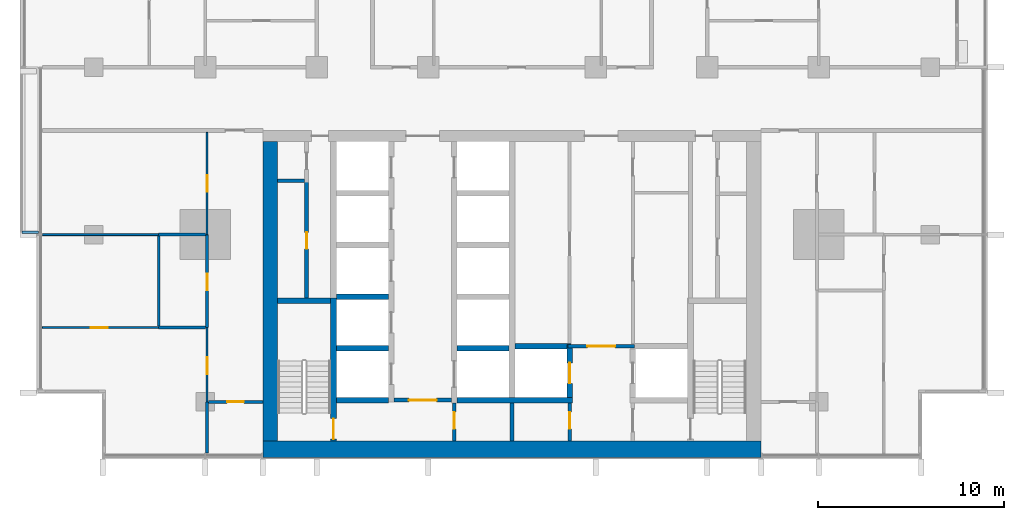
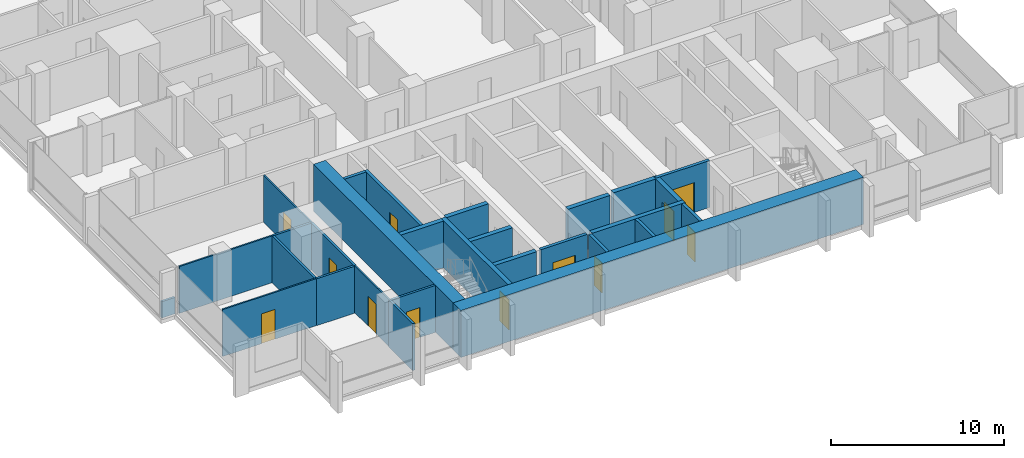
# One storey, part 7 of 18: 29 walls, 12 doors, 12 openings.
"""IFC4 building model written with IfcOpenShell, lengths in metres."""

from ifc_helpers import new_model, si_unit, direction, frame, frame_2d, origin, place, context, subcontext, project, spatial, rectangle, extrude, material, layer, layer_set, type_object, element, fill, save


model = new_model("IFC4")

# Units and contexts
model_context = context("Model", 3, precision=1e-05, world=origin(), true_north=direction((0.0, 1.0)))
body_context = subcontext(model_context, "Body", "Model", "MODEL_VIEW")
ifc_project = project(units=[si_unit("LENGTHUNIT", "METRE"), si_unit("AREAUNIT", "SQUARE_METRE"), si_unit("VOLUMEUNIT", "CUBIC_METRE"), si_unit("PLANEANGLEUNIT", "RADIAN"), si_unit("MASSUNIT", "GRAM", prefix="KILO")], contexts=[model_context])

# Site, building, storey
site_placement = place(None, origin())
site = spatial("IfcSite", under=ifc_project, at=site_placement, CompositionType="ELEMENT")
building_placement = place(site_placement, origin())
building = spatial("IfcBuilding", under=site, at=building_placement, Name="Finial Court Residences", CompositionType="ELEMENT")
storey_placement = place(building_placement, frame((0.0, 0.0, 84.699951171875)))
storey = spatial("IfcBuildingStorey", under=building, at=storey_placement, Name="L20", CompositionType="ELEMENT", Elevation=84.699951171875)

# Walls
ifc_material_1 = material(Name="Concrete C70/85", Category="concrete")
ifc_layer_1 = layer(ifc_material_1, 0.800048828125)
ifc_layer_set_1 = layer_set([ifc_layer_1], Name="Core outer wall 800 Concrete C70/85")
wall_type_1 = type_object("IfcWallType", Name="Core outer wall 800 Concrete C70/85", PredefinedType="SHEAR", material=ifc_layer_set_1)
wall_1_placement = place(storey_placement, frame((-13.0, -24.60009765625, 0.0), z_axis=(0.0, 0.0, 1.0), x_axis=(0.0, 1.0, 0.0)))
element("IfcWall", 1, at=wall_1_placement, inside=storey, type_object=wall_type_1, Name="Core outer wall L20-03", PredefinedType="SHEAR", context=body_context, shape_type="SweptSolid", body=[
    extrude(rectangle(XDim=16.10009765625, YDim=0.800048828125, at=frame_2d((8.050048828125, 0.0))), origin(), (0.0, 0.0, 1.0), 3.300048828125),
])
ifc_layer_2 = layer(ifc_material_1, 0.89990234375)
ifc_layer_set_2 = layer_set([ifc_layer_2], Name="Core south facade wall 900 Concrete C70/85")
wall_type_2 = type_object("IfcWallType", Name="Core south facade wall 900 Concrete C70/85", PredefinedType="SHEAR", material=ifc_layer_set_2)
wall_2_placement = place(storey_placement, frame((-13.39990234375, -25.050048828125, 0.0), z_axis=(0.0, 0.0, 1.0), x_axis=(1.0, 0.0, 0.0)))
element("IfcWall", 2, at=wall_2_placement, inside=storey, type_object=wall_type_2, Name="Core outer wall L20-01", PredefinedType="SHEAR", context=body_context, shape_type="SweptSolid", body=[
    extrude(rectangle(XDim=26.7998046875, YDim=0.89990234375, at=frame_2d((13.39990234375, 0.0))), origin(), (0.0, 0.0, 1.0), 3.300048828125),
])

# Wall, opening, door
ifc_material_2 = material(Name="Fire-rated gypsum board partition")
ifc_layer_3 = layer(ifc_material_2, 0.199951171875)
ifc_layer_set_3 = layer_set([ifc_layer_3], Name="Firefighting lobby wall 200 EI 120")
wall_type_3 = type_object("IfcWallType", Name="Firefighting lobby wall 200 EI 120", PredefinedType="PARTITIONING", material=ifc_layer_set_3)
wall_3_placement = place(storey_placement, frame((6.574951171875, -19.5, 0.0), z_axis=(0.0, 0.0, 1.0), x_axis=(-1.0, 0.0, 0.0)))
wall_3 = element("IfcWall", 3, at=wall_3_placement, inside=storey, type_object=wall_type_3, Name="Core partition L20-08", PredefinedType="PARTITIONING", context=body_context, shape_type="SweptSolid", body=[
    extrude(rectangle(XDim=3.550048828125, YDim=0.199951171875, at=frame_2d((1.77490234375, 0.0))), origin(), (0.0, 0.0, 1.0), 3.300048828125),
])
opening_1_placement = place(wall_3_placement, frame((1.02490234375, 0.0, 0.0)))
opening_1 = element("IfcOpeningElement", 4, at=opening_1_placement, cuts=wall_3, Name="Opening L20-C02", PredefinedType="OPENING", context=body_context, shape_type="SweptSolid", body=[
    extrude(rectangle(XDim=1.5, YDim=2.10009765625, at=frame_2d((0.75, 1.050048828125))), frame((0.0, 0.10986328125, 0.0), z_axis=(0.0, -1.0, 0.0), x_axis=(1.0, 0.0, 0.0)), (0.0, 0.0, 1.0), 0.219970703125),
])
ifc_material_3 = material(Name="Steel fire door", Category="steel")
door_type_1 = type_object("IfcDoorType", Name="Firefighting lobby door 1500 x 2100 EI 90", OperationType="DOUBLE_DOOR_SINGLE_SWING", PredefinedType="DOOR", material=ifc_material_3)
door_1_placement = place(opening_1_placement, origin())
door_1 = element("IfcDoor", 5, at=door_1_placement, inside=storey, type_object=door_type_1, Name="Firefighting lobby door L20-C02", OperationType="DOUBLE_DOOR_SINGLE_SWING", OverallHeight=2.10009765625, OverallWidth=1.5, PredefinedType="DOOR", context=body_context, shape_type="SweptSolid", body=[
    extrude(rectangle(XDim=1.5, YDim=2.10009765625, at=frame_2d((0.75, 1.050048828125))), frame((0.0, 0.02490234375, 0.0), z_axis=(0.0, -1.0, 0.0), x_axis=(1.0, 0.0, 0.0)), (0.0, 0.0, 1.0), 0.050048828125),
])
fill(opening_1, door_1)

wall_4_placement = place(storey_placement, frame((3.10009765625, -24.60009765625, 0.0), z_axis=(0.0, 0.0, 1.0), x_axis=(0.0, 1.0, 0.0)))
wall_4 = element("IfcWall", 6, at=wall_4_placement, inside=storey, type_object=wall_type_3, Name="Core partition L20-30", PredefinedType="PARTITIONING", context=body_context, shape_type="SweptSolid", body=[
    extrude(rectangle(XDim=2.050048828125, YDim=0.199951171875, at=frame_2d((1.02490234375, 0.0))), origin(), (0.0, 0.0, 1.0), 3.300048828125),
])
opening_2_placement = place(wall_4_placement, frame((0.64990234375, 0.0, 0.0)))
opening_2 = element("IfcOpeningElement", 7, at=opening_2_placement, cuts=wall_4, Name="Opening L20-C06", PredefinedType="OPENING", context=body_context, shape_type="SweptSolid", body=[
    extrude(rectangle(XDim=0.89990234375, YDim=2.10009765625, at=frame_2d((0.449951171875, 1.050048828125))), frame((0.0, 0.10986328125, 0.0), z_axis=(0.0, -1.0, 0.0), x_axis=(1.0, 0.0, 0.0)), (0.0, 0.0, 1.0), 0.219970703125),
])
door_type_2 = type_object("IfcDoorType", Name="Riser room door 900 x 2100 EI 90", OperationType="NOTDEFINED", PredefinedType="DOOR", material=ifc_material_3)
door_2_placement = place(opening_2_placement, origin())
door_2 = element("IfcDoor", 8, at=door_2_placement, inside=storey, type_object=door_type_2, Name="Riser room door L20-C06", OperationType="SINGLE_SWING_LEFT", OverallHeight=2.10009765625, OverallWidth=0.89990234375, PredefinedType="DOOR", context=body_context, shape_type="SweptSolid", body=[
    extrude(rectangle(XDim=0.89990234375, YDim=2.10009765625, at=frame_2d((0.449951171875, 1.050048828125))), frame((0.0, 0.02490234375, 0.0), z_axis=(0.0, -1.0, 0.0), x_axis=(1.0, 0.0, 0.0)), (0.0, 0.0, 1.0), 0.050048828125),
])
fill(opening_2, door_2)

ifc_material_4 = material(Name="Gypsum board")
ifc_layer_4 = layer(ifc_material_4, 0.012451171875)
ifc_material_5 = material(Name="Mineral wool in light-gauge frame")
ifc_layer_5 = layer(ifc_material_5, 0.074951171875)
ifc_layer_6 = layer(ifc_material_4, 0.012451171875)
ifc_layer_set_4 = layer_set([ifc_layer_4, ifc_layer_5, ifc_layer_6], Name="Gypsum board partition 100")
wall_type_4 = type_object("IfcWallType", Name="Gypsum board partition 100", PredefinedType="PARTITIONING", material=ifc_layer_set_4)
wall_5_placement = place(storey_placement, frame((-25.25, -18.5, 0.0), z_axis=(0.0, 0.0, 1.0), x_axis=(1.0, 0.0, 0.0)))
wall_5 = element("IfcWall", 9, at=wall_5_placement, inside=storey, type_object=wall_type_4, Name="Partition L20-002", PredefinedType="PARTITIONING", context=body_context, shape_type="SweptSolid", body=[
    extrude(rectangle(XDim=6.25, YDim=0.10009765625, at=frame_2d((3.125, 0.0))), origin(), (0.0, 0.0, 1.0), 3.300048828125),
])
opening_3_placement = place(wall_5_placement, frame((2.60009765625, 0.0, 0.0)))
opening_3 = element("IfcOpeningElement", 10, at=opening_3_placement, cuts=wall_5, Name="Opening L20-D003", PredefinedType="OPENING", context=body_context, shape_type="SweptSolid", body=[
    extrude(rectangle(XDim=0.89990234375, YDim=2.10009765625, at=frame_2d((0.449951171875, 1.050048828125))), frame((0.0, 0.06005859375, 0.0), z_axis=(0.0, -1.0, 0.0), x_axis=(1.0, 0.0, 0.0)), (0.0, 0.0, 1.0), 0.1201171875),
])
ifc_material_6 = material(Name="Timber door leaf in timber frame", Category="wood")
door_type_3 = type_object("IfcDoorType", Name="Door set 900 x 2100", OperationType="SINGLE_SWING_LEFT", PredefinedType="DOOR", material=ifc_material_6)
door_3_placement = place(opening_3_placement, origin())
door_3 = element("IfcDoor", 11, at=door_3_placement, inside=storey, type_object=door_type_3, Name="Door L20-D003", OperationType="SINGLE_SWING_LEFT", OverallHeight=2.10009765625, OverallWidth=0.89990234375, PredefinedType="DOOR", context=body_context, shape_type="SweptSolid", body=[
    extrude(rectangle(XDim=0.89990234375, YDim=2.10009765625, at=frame_2d((0.449951171875, 1.050048828125))), frame((0.0, 0.02490234375, 0.0), z_axis=(0.0, -1.0, 0.0), x_axis=(1.0, 0.0, 0.0)), (0.0, 0.0, 1.0), 0.050048828125),
])
fill(opening_3, door_3)

# Wall
wall_6_placement = place(storey_placement, frame((-25.25, -13.5, 0.0), z_axis=(0.0, 0.0, 1.0), x_axis=(1.0, 0.0, 0.0)))
element("IfcWall", 12, at=wall_6_placement, inside=storey, type_object=wall_type_4, Name="Partition L20-005", PredefinedType="PARTITIONING", context=body_context, shape_type="SweptSolid", body=[
    extrude(rectangle(XDim=6.25, YDim=0.10009765625, at=frame_2d((3.125, 0.0))), origin(), (0.0, 0.0, 1.0), 3.300048828125),
])

# Wall, opening, door
wall_7_placement = place(storey_placement, frame((-16.39990234375, -22.5, 0.0), z_axis=(0.0, 0.0, 1.0), x_axis=(0.0, 1.0, 0.0)))
wall_7 = element("IfcWall", 13, at=wall_7_placement, inside=storey, type_object=wall_type_4, Name="Partition L20-049", PredefinedType="PARTITIONING", context=body_context, shape_type="SweptSolid", body=[
    extrude(rectangle(XDim=4.0, YDim=0.10009765625, at=frame_2d((2.0, 0.0))), origin(), (0.0, 0.0, 1.0), 3.300048828125),
])
opening_4_placement = place(wall_7_placement, frame((1.5, 0.0, 0.0)))
opening_4 = element("IfcOpeningElement", 14, at=opening_4_placement, cuts=wall_7, Name="Opening L20-D037", PredefinedType="OPENING", context=body_context, shape_type="SweptSolid", body=[
    extrude(rectangle(XDim=0.89990234375, YDim=2.10009765625, at=frame_2d((0.449951171875, 1.050048828125))), frame((0.0, 0.06005859375, 0.0), z_axis=(0.0, -1.0, 0.0), x_axis=(1.0, 0.0, 0.0)), (0.0, 0.0, 1.0), 0.1201171875),
])
door_4_placement = place(opening_4_placement, origin())
door_4 = element("IfcDoor", 15, at=door_4_placement, inside=storey, type_object=door_type_3, Name="Door L20-D037", OperationType="SINGLE_SWING_LEFT", OverallHeight=2.10009765625, OverallWidth=0.89990234375, PredefinedType="DOOR", context=body_context, shape_type="SweptSolid", body=[
    extrude(rectangle(XDim=0.89990234375, YDim=2.10009765625, at=frame_2d((0.449951171875, 1.050048828125))), frame((0.0, 0.02490234375, 0.0), z_axis=(0.0, -1.0, 0.0), x_axis=(1.0, 0.0, 0.0)), (0.0, 0.0, 1.0), 0.050048828125),
])
fill(opening_4, door_4)

wall_8_placement = place(storey_placement, frame((-16.39990234375, -13.5, 0.0), z_axis=(0.0, 0.0, 1.0), x_axis=(0.0, 1.0, 0.0)))
wall_8 = element("IfcWall", 16, at=wall_8_placement, inside=storey, type_object=wall_type_4, Name="Partition L20-050", PredefinedType="PARTITIONING", context=body_context, shape_type="SweptSolid", body=[
    extrude(rectangle(XDim=5.5, YDim=0.10009765625, at=frame_2d((2.75, 0.0))), origin(), (0.0, 0.0, 1.0), 3.300048828125),
])
opening_5_placement = place(wall_8_placement, frame((2.300048828125, 0.0, 0.0)))
opening_5 = element("IfcOpeningElement", 17, at=opening_5_placement, cuts=wall_8, Name="Opening L20-D038", PredefinedType="OPENING", context=body_context, shape_type="SweptSolid", body=[
    extrude(rectangle(XDim=0.89990234375, YDim=2.10009765625, at=frame_2d((0.449951171875, 1.050048828125))), frame((0.0, 0.06005859375, 0.0), z_axis=(0.0, -1.0, 0.0), x_axis=(1.0, 0.0, 0.0)), (0.0, 0.0, 1.0), 0.1201171875),
])
door_5_placement = place(opening_5_placement, origin())
door_5 = element("IfcDoor", 18, at=door_5_placement, inside=storey, type_object=door_type_3, Name="Door L20-D038", OperationType="SINGLE_SWING_RIGHT", OverallHeight=2.10009765625, OverallWidth=0.89990234375, PredefinedType="DOOR", context=body_context, shape_type="SweptSolid", body=[
    extrude(rectangle(XDim=0.89990234375, YDim=2.10009765625, at=frame_2d((0.449951171875, 1.050048828125))), frame((0.0, 0.02490234375, 0.0), z_axis=(0.0, -1.0, 0.0), x_axis=(1.0, 0.0, 0.0)), (0.0, 0.0, 1.0), 0.050048828125),
])
fill(opening_5, door_5)

ifc_material_7 = material(Name="Moisture-resistant gypsum board")
ifc_layer_7 = layer(ifc_material_7, 0.012451171875)
ifc_layer_8 = layer(ifc_material_5, 0.125)
ifc_layer_9 = layer(ifc_material_7, 0.012451171875)
ifc_layer_set_5 = layer_set([ifc_layer_7, ifc_layer_8, ifc_layer_9], Name="Gypsum board wet-area partition 150")
wall_type_5 = type_object("IfcWallType", Name="Gypsum board wet-area partition 150", PredefinedType="PARTITIONING", material=ifc_layer_set_5)
wall_9_placement = place(storey_placement, frame((-16.324951171875, -22.5, 0.0), z_axis=(0.0, 0.0, 1.0), x_axis=(1.0, 0.0, 0.0)))
wall_9 = element("IfcWall", 19, at=wall_9_placement, inside=storey, type_object=wall_type_5, Name="Partition L20-000", PredefinedType="PARTITIONING", context=body_context, shape_type="SweptSolid", body=[
    extrude(rectangle(XDim=2.925048828125, YDim=0.14990234375, at=frame_2d((1.46240234375, 0.0))), origin(), (0.0, 0.0, 1.0), 3.300048828125),
])
opening_6_placement = place(wall_9_placement, frame((1.0, 0.0, 0.0)))
opening_6 = element("IfcOpeningElement", 20, at=opening_6_placement, cuts=wall_9, Name="Opening L20-D001", PredefinedType="OPENING", context=body_context, shape_type="SweptSolid", body=[
    extrude(rectangle(XDim=0.89990234375, YDim=2.10009765625, at=frame_2d((0.449951171875, 1.050048828125))), frame((0.0, 0.0849609375, 0.0), z_axis=(0.0, -1.0, 0.0), x_axis=(1.0, 0.0, 0.0)), (0.0, 0.0, 1.0), 0.169921875),
])
door_6_placement = place(opening_6_placement, origin())
door_6 = element("IfcDoor", 21, at=door_6_placement, inside=storey, type_object=door_type_3, Name="Door L20-D001", OperationType="SINGLE_SWING_RIGHT", OverallHeight=2.10009765625, OverallWidth=0.89990234375, PredefinedType="DOOR", context=body_context, shape_type="SweptSolid", body=[
    extrude(rectangle(XDim=0.89990234375, YDim=2.10009765625, at=frame_2d((0.449951171875, 1.050048828125))), frame((0.0, 0.02490234375, 0.0), z_axis=(0.0, -1.0, 0.0), x_axis=(1.0, 0.0, 0.0)), (0.0, 0.0, 1.0), 0.050048828125),
])
fill(opening_6, door_6)

# Walls
for number, where, z_axis, x_axis, name in (
    (22, (-19.0, -18.5, 0.0), (0.0, 0.0, 1.0), (1.0, 0.0, 0.0), "Partition L20-003"),
    (23, (-19.0, -13.5, 0.0), (0.0, 0.0, 1.0), (1.0, 0.0, 0.0), "Partition L20-007"),
):
    element("IfcWall", number, at=place(storey_placement, frame(where, z_axis=z_axis, x_axis=x_axis)), inside=storey, type_object=wall_type_5, Name=name, PredefinedType="PARTITIONING", context=body_context, shape_type="SweptSolid", body=[
        extrude(rectangle(XDim=2.52490234375, YDim=0.14990234375, at=frame_2d((1.262451171875, 0.0))), origin(), (0.0, 0.0, 1.0), 3.300048828125),
    ])
wall_10_placement = place(storey_placement, frame((-19.0, -18.425048828125, 0.0), z_axis=(0.0, 0.0, 1.0), x_axis=(0.0, 1.0, 0.0)))
element("IfcWall", 24, at=wall_10_placement, inside=storey, type_object=wall_type_5, Name="Partition L20-042", PredefinedType="PARTITIONING", context=body_context, shape_type="SweptSolid", body=[
    extrude(rectangle(XDim=4.85009765625, YDim=0.14990234375, at=frame_2d((2.425048828125, 0.0))), origin(), (0.0, 0.0, 1.0), 3.300048828125),
])
wall_11_placement = place(storey_placement, frame((-16.39990234375, -25.25, 0.0), z_axis=(0.0, 0.0, 1.0), x_axis=(0.0, 1.0, 0.0)))
element("IfcWall", 25, at=wall_11_placement, inside=storey, type_object=wall_type_5, Name="Partition L20-051", PredefinedType="PARTITIONING", context=body_context, shape_type="SweptSolid", body=[
    extrude(rectangle(XDim=2.75, YDim=0.14990234375, at=frame_2d((1.375, 0.0))), origin(), (0.0, 0.0, 1.0), 3.300048828125),
])

# Wall, opening, door
wall_12_placement = place(storey_placement, frame((-16.39990234375, -18.5, 0.0), z_axis=(0.0, 0.0, 1.0), x_axis=(0.0, 1.0, 0.0)))
wall_12 = element("IfcWall", 26, at=wall_12_placement, inside=storey, type_object=wall_type_5, Name="Partition L20-052", PredefinedType="PARTITIONING", context=body_context, shape_type="SweptSolid", body=[
    extrude(rectangle(XDim=5.0, YDim=0.14990234375, at=frame_2d((2.5, 0.0))), origin(), (0.0, 0.0, 1.0), 3.300048828125),
])
opening_7_placement = place(wall_12_placement, frame((2.0, 0.0, 0.0)))
opening_7 = element("IfcOpeningElement", 27, at=opening_7_placement, cuts=wall_12, Name="Opening L20-D039", PredefinedType="OPENING", context=body_context, shape_type="SweptSolid", body=[
    extrude(rectangle(XDim=0.89990234375, YDim=2.10009765625, at=frame_2d((0.449951171875, 1.050048828125))), frame((0.0, 0.0849609375, 0.0), z_axis=(0.0, -1.0, 0.0), x_axis=(1.0, 0.0, 0.0)), (0.0, 0.0, 1.0), 0.169921875),
])
door_7_placement = place(opening_7_placement, origin())
door_7 = element("IfcDoor", 28, at=door_7_placement, inside=storey, type_object=door_type_3, Name="Door L20-D039", OperationType="SINGLE_SWING_RIGHT", OverallHeight=2.10009765625, OverallWidth=0.89990234375, PredefinedType="DOOR", context=body_context, shape_type="SweptSolid", body=[
    extrude(rectangle(XDim=0.89990234375, YDim=2.10009765625, at=frame_2d((0.449951171875, 1.050048828125))), frame((0.0, 0.02490234375, 0.0), z_axis=(0.0, -1.0, 0.0), x_axis=(1.0, 0.0, 0.0)), (0.0, 0.0, 1.0), 0.050048828125),
])
fill(opening_7, door_7)

# Walls
ifc_material_8 = material(Name="Concrete C35/45", Category="concrete")
ifc_layer_10 = layer(ifc_material_8, 0.14990234375)
ifc_layer_set_6 = layer_set([ifc_layer_10], Name="Ledge parapet, Concrete C35/45 150")
wall_type_6 = type_object("IfcWallType", Name="Ledge parapet, Concrete C35/45 150", PredefinedType="PARAPET", material=ifc_layer_set_6)
wall_13_placement = place(storey_placement, frame((-25.4599609375, -13.375, 0.0), z_axis=(0.0, 0.0, 1.0), x_axis=(-1.0, 0.0, 0.0)))
element("IfcWall", 29, at=wall_13_placement, inside=storey, type_object=wall_type_6, Name="E-L20-LED1-P1", PredefinedType="PARAPET", context=body_context, shape_type="SweptSolid", body=[
    extrude(rectangle(XDim=0.89013671875, YDim=0.14990234375, at=frame_2d((0.445068359375, 0.0))), origin(), (0.0, 0.0, 1.0), 1.150146484375),
])
ifc_layer_11 = layer(ifc_material_1, 0.300048828125)
ifc_layer_set_7 = layer_set([ifc_layer_11], Name="Lift shaft and stair wall 300 Concrete C70/85")
wall_type_7 = type_object("IfcWallType", Name="Lift shaft and stair wall 300 Concrete C70/85", PredefinedType="SHEAR", material=ifc_layer_set_7)
wall_14_placement = place(storey_placement, frame((-9.449951171875, -22.39990234375, 0.0), z_axis=(0.0, 0.0, 1.0), x_axis=(1.0, 0.0, 0.0)))
element("IfcWall", 30, at=wall_14_placement, inside=storey, type_object=wall_type_7, Name="Core wall L20-01", PredefinedType="SHEAR", context=body_context, shape_type="SweptSolid", body=[
    extrude(rectangle(XDim=2.800048828125, YDim=0.300048828125, at=frame_2d((1.39990234375, 0.0))), origin(), (0.0, 0.0, 1.0), 3.300048828125),
])
wall_15_placement = place(storey_placement, frame((-2.949951171875, -22.39990234375, 0.0), z_axis=(0.0, 0.0, 1.0), x_axis=(1.0, 0.0, 0.0)))
element("IfcWall", 31, at=wall_15_placement, inside=storey, type_object=wall_type_7, Name="Core wall L20-03", PredefinedType="SHEAR", context=body_context, shape_type="SweptSolid", body=[
    extrude(rectangle(XDim=6.199951171875, YDim=0.300048828125, at=frame_2d((3.10009765625, 0.0))), origin(), (0.0, 0.0, 1.0), 3.300048828125),
])
for number, where, z_axis, x_axis, name in (
    (32, (-9.449951171875, -19.6201171875, 0.0), (0.0, 0.0, 1.0), (1.0, 0.0, 0.0), "Core wall L20-05"),
    (33, (-2.949951171875, -19.6201171875, 0.0), (0.0, 0.0, 1.0), (1.0, 0.0, 0.0), "Core wall L20-06"),
):
    element("IfcWall", number, at=place(storey_placement, frame(where, z_axis=z_axis, x_axis=x_axis)), inside=storey, type_object=wall_type_7, Name=name, PredefinedType="SHEAR", context=body_context, shape_type="SweptSolid", body=[
        extrude(rectangle(XDim=2.800048828125, YDim=0.300048828125, at=frame_2d((1.39990234375, 0.0))), origin(), (0.0, 0.0, 1.0), 3.300048828125),
    ])
wall_16_placement = place(storey_placement, frame((0.14990234375, -19.5, 0.0), z_axis=(0.0, 0.0, 1.0), x_axis=(1.0, 0.0, 0.0)))
element("IfcWall", 34, at=wall_16_placement, inside=storey, type_object=wall_type_7, Name="Core wall L20-07", PredefinedType="SHEAR", context=body_context, shape_type="SweptSolid", body=[
    extrude(rectangle(XDim=3.025146484375, YDim=0.300048828125, at=frame_2d((1.5126953125, 0.0))), origin(), (0.0, 0.0, 1.0), 3.300048828125),
])
wall_17_placement = place(storey_placement, frame((-12.60009765625, -17.050048828125, 0.0), z_axis=(0.0, 0.0, 1.0), x_axis=(1.0, 0.0, 0.0)))
element("IfcWall", 35, at=wall_17_placement, inside=storey, type_object=wall_type_7, Name="Core wall L20-10", PredefinedType="SHEAR", context=body_context, shape_type="SweptSolid", body=[
    extrude(rectangle(XDim=2.85009765625, YDim=0.300048828125, at=frame_2d((1.425048828125, 0.0))), origin(), (0.0, 0.0, 1.0), 3.300048828125),
])
wall_18_placement = place(storey_placement, frame((-9.449951171875, -16.840087890625, 0.0), z_axis=(0.0, 0.0, 1.0), x_axis=(1.0, 0.0, 0.0)))
element("IfcWall", 36, at=wall_18_placement, inside=storey, type_object=wall_type_7, Name="Core wall L20-12", PredefinedType="SHEAR", context=body_context, shape_type="SweptSolid", body=[
    extrude(rectangle(XDim=2.800048828125, YDim=0.300048828125, at=frame_2d((1.39990234375, 0.0))), origin(), (0.0, 0.0, 1.0), 3.300048828125),
])

# Wall, opening, door
wall_19_placement = place(storey_placement, frame((-9.60009765625, -24.60009765625, 0.0), z_axis=(0.0, 0.0, 1.0), x_axis=(0.0, 1.0, 0.0)))
wall_19 = element("IfcWall", 37, at=wall_19_placement, inside=storey, type_object=wall_type_7, Name="Core wall L20-23", PredefinedType="SHEAR", context=body_context, shape_type="SweptSolid", body=[
    extrude(rectangle(XDim=7.7001953125, YDim=0.300048828125, at=frame_2d((3.85009765625, 0.0))), origin(), (0.0, 0.0, 1.0), 3.300048828125),
])
opening_8_placement = place(wall_19_placement, frame((0.10009765625, 0.0, 0.0)))
opening_8 = element("IfcOpeningElement", 38, at=opening_8_placement, cuts=wall_19, Name="Opening L20-C17", PredefinedType="OPENING", context=body_context, shape_type="SweptSolid", body=[
    extrude(rectangle(XDim=1.10009765625, YDim=2.10009765625, at=frame_2d((0.550048828125, 1.050048828125))), frame((0.0, 0.159912109375, 0.0), z_axis=(0.0, -1.0, 0.0), x_axis=(1.0, 0.0, 0.0)), (0.0, 0.0, 1.0), 0.320068359375),
])
door_type_4 = type_object("IfcDoorType", Name="Stair door 1100 x 2100 EI 90", OperationType="NOTDEFINED", PredefinedType="DOOR", material=ifc_material_3)
door_8_placement = place(opening_8_placement, origin())
door_8 = element("IfcDoor", 39, at=door_8_placement, inside=storey, type_object=door_type_4, Name="Stair door L20-C17", OperationType="SINGLE_SWING_LEFT", OverallHeight=2.10009765625, OverallWidth=1.10009765625, PredefinedType="DOOR", context=body_context, shape_type="SweptSolid", body=[
    extrude(rectangle(XDim=1.10009765625, YDim=2.10009765625, at=frame_2d((0.550048828125, 1.050048828125))), frame((0.0, 0.02490234375, 0.0), z_axis=(0.0, -1.0, 0.0), x_axis=(1.0, 0.0, 0.0)), (0.0, 0.0, 1.0), 0.050048828125),
])
fill(opening_8, door_8)

wall_20_placement = place(storey_placement, frame((3.10009765625, -22.25, 0.0), z_axis=(0.0, 0.0, 1.0), x_axis=(0.0, 1.0, 0.0)))
wall_20 = element("IfcWall", 40, at=wall_20_placement, inside=storey, type_object=wall_type_7, Name="Core wall L20-31", PredefinedType="SHEAR", context=body_context, shape_type="SweptSolid", body=[
    extrude(rectangle(XDim=2.85009765625, YDim=0.300048828125, at=frame_2d((1.425048828125, 0.0))), origin(), (0.0, 0.0, 1.0), 3.300048828125),
])
opening_9_placement = place(wall_20_placement, frame((0.75, 0.0, 0.0)))
opening_9 = element("IfcOpeningElement", 41, at=opening_9_placement, cuts=wall_20, Name="Opening L20-LD01", PredefinedType="OPENING", context=body_context, shape_type="SweptSolid", body=[
    extrude(rectangle(XDim=1.10009765625, YDim=2.10009765625, at=frame_2d((0.550048828125, 1.050048828125))), frame((0.0, 0.159912109375, 0.0), z_axis=(0.0, -1.0, 0.0), x_axis=(1.0, 0.0, 0.0)), (0.0, 0.0, 1.0), 0.320068359375),
])
ifc_material_9 = material(Name="Stainless steel lift door", Category="steel")
door_type_5 = type_object("IfcDoorType", Name="Lift landing door 1100 x 2100 EI 90", OperationType="DOUBLE_DOOR_SLIDING", PredefinedType="DOOR", material=ifc_material_9)
door_9_placement = place(opening_9_placement, origin())
door_9 = element("IfcDoor", 42, at=door_9_placement, inside=storey, type_object=door_type_5, Name="Lift landing door FF1 L20", OperationType="DOUBLE_DOOR_SLIDING", OverallHeight=2.10009765625, OverallWidth=1.10009765625, PredefinedType="DOOR", context=body_context, shape_type="SweptSolid", body=[
    extrude(rectangle(XDim=1.10009765625, YDim=2.10009765625, at=frame_2d((0.550048828125, 1.050048828125))), frame((0.0, 0.02490234375, 0.0), z_axis=(0.0, -1.0, 0.0), x_axis=(1.0, 0.0, 0.0)), (0.0, 0.0, 1.0), 0.050048828125),
])
fill(opening_9, door_9)

# Walls
ifc_layer_12 = layer(ifc_material_2, 0.199951171875)
ifc_layer_set_8 = layer_set([ifc_layer_12], Name="Riser room wall 200 EI 120")
wall_type_8 = type_object("IfcWallType", Name="Riser room wall 200 EI 120", PredefinedType="PARTITIONING", material=ifc_layer_set_8)
wall_21_placement = place(storey_placement, frame((-12.60009765625, -10.60009765625, 0.0), z_axis=(0.0, 0.0, 1.0), x_axis=(1.0, 0.0, 0.0)))
element("IfcWall", 43, at=wall_21_placement, inside=storey, type_object=wall_type_8, Name="Core partition L20-20", PredefinedType="PARTITIONING", context=body_context, shape_type="SweptSolid", body=[
    extrude(rectangle(XDim=1.4501953125, YDim=0.199951171875, at=frame_2d((0.72509765625, 0.0))), origin(), (0.0, 0.0, 1.0), 3.300048828125),
])
wall_22_placement = place(storey_placement, frame((0.0, -24.60009765625, 0.0), z_axis=(0.0, 0.0, 1.0), x_axis=(0.0, 1.0, 0.0)))
element("IfcWall", 44, at=wall_22_placement, inside=storey, type_object=wall_type_8, Name="Core partition L20-28", PredefinedType="PARTITIONING", context=body_context, shape_type="SweptSolid", body=[
    extrude(rectangle(XDim=2.050048828125, YDim=0.199951171875, at=frame_2d((1.02490234375, 0.0))), origin(), (0.0, 0.0, 1.0), 3.300048828125),
])

# Wall, opening, door
ifc_layer_13 = layer(ifc_material_2, 0.199951171875)
ifc_layer_set_9 = layer_set([ifc_layer_13], Name="Stair passage wall 200 EI 180")
wall_type_9 = type_object("IfcWallType", Name="Stair passage wall 200 EI 180", PredefinedType="PARTITIONING", material=ifc_layer_set_9)
wall_23_placement = place(storey_placement, frame((-3.25, -22.39990234375, 0.0), z_axis=(0.0, 0.0, 1.0), x_axis=(-1.0, 0.0, 0.0)))
wall_23 = element("IfcWall", 45, at=wall_23_placement, inside=storey, type_object=wall_type_9, Name="Core partition L20-02", PredefinedType="PARTITIONING", context=body_context, shape_type="SweptSolid", body=[
    extrude(rectangle(XDim=3.10009765625, YDim=0.199951171875, at=frame_2d((1.550048828125, 0.0))), origin(), (0.0, 0.0, 1.0), 3.300048828125),
])
opening_10_placement = place(wall_23_placement, frame((0.800048828125, 0.0, 0.0)))
opening_10 = element("IfcOpeningElement", 46, at=opening_10_placement, cuts=wall_23, Name="Opening L20-C03", PredefinedType="OPENING", context=body_context, shape_type="SweptSolid", body=[
    extrude(rectangle(XDim=1.5, YDim=2.10009765625, at=frame_2d((0.75, 1.050048828125))), frame((0.0, 0.10986328125, 0.0), z_axis=(0.0, -1.0, 0.0), x_axis=(1.0, 0.0, 0.0)), (0.0, 0.0, 1.0), 0.219970703125),
])
door_type_6 = type_object("IfcDoorType", Name="Lift lobby door 1500 x 2100 EI 60", OperationType="DOUBLE_DOOR_SINGLE_SWING", PredefinedType="DOOR", material=ifc_material_3)
door_10_placement = place(opening_10_placement, origin())
door_10 = element("IfcDoor", 47, at=door_10_placement, inside=storey, type_object=door_type_6, Name="Lift lobby door L20-C03", OperationType="DOUBLE_DOOR_SINGLE_SWING", OverallHeight=2.10009765625, OverallWidth=1.5, PredefinedType="DOOR", context=body_context, shape_type="SweptSolid", body=[
    extrude(rectangle(XDim=1.5, YDim=2.10009765625, at=frame_2d((0.75, 1.050048828125))), frame((0.0, 0.02490234375, 0.0), z_axis=(0.0, -1.0, 0.0), x_axis=(1.0, 0.0, 0.0)), (0.0, 0.0, 1.0), 0.050048828125),
])
fill(opening_10, door_10)

wall_24_placement = place(storey_placement, frame((-11.050048828125, -16.89990234375, 0.0), z_axis=(0.0, 0.0, 1.0), x_axis=(0.0, 1.0, 0.0)))
wall_24 = element("IfcWall", 48, at=wall_24_placement, inside=storey, type_object=wall_type_9, Name="Core partition L20-21", PredefinedType="PARTITIONING", context=body_context, shape_type="SweptSolid", body=[
    extrude(rectangle(XDim=6.39990234375, YDim=0.199951171875, at=frame_2d((3.199951171875, 0.0))), origin(), (0.0, 0.0, 1.0), 3.300048828125),
])
opening_11_placement = place(wall_24_placement, frame((2.625, 0.0, 0.0)))
opening_11 = element("IfcOpeningElement", 49, at=opening_11_placement, cuts=wall_24, Name="Opening L20-C12", PredefinedType="OPENING", context=body_context, shape_type="SweptSolid", body=[
    extrude(rectangle(XDim=0.89990234375, YDim=2.10009765625, at=frame_2d((0.449951171875, 1.050048828125))), frame((0.0, 0.10986328125, 0.0), z_axis=(0.0, -1.0, 0.0), x_axis=(1.0, 0.0, 0.0)), (0.0, 0.0, 1.0), 0.219970703125),
])
door_type_7 = type_object("IfcDoorType", Name="Core room door 900 x 2100 EI 60", OperationType="NOTDEFINED", PredefinedType="DOOR", material=ifc_material_3)
door_11_placement = place(opening_11_placement, origin())
door_11 = element("IfcDoor", 50, at=door_11_placement, inside=storey, type_object=door_type_7, Name="Core room door L20-C12", OperationType="SINGLE_SWING_RIGHT", OverallHeight=2.10009765625, OverallWidth=0.89990234375, PredefinedType="DOOR", context=body_context, shape_type="SweptSolid", body=[
    extrude(rectangle(XDim=0.89990234375, YDim=2.10009765625, at=frame_2d((0.449951171875, 1.050048828125))), frame((0.0, 0.02490234375, 0.0), z_axis=(0.0, -1.0, 0.0), x_axis=(1.0, 0.0, 0.0)), (0.0, 0.0, 1.0), 0.050048828125),
])
fill(opening_11, door_11)

wall_25_placement = place(storey_placement, frame((-3.10009765625, -22.550048828125, 0.0), z_axis=(0.0, 0.0, 1.0), x_axis=(0.0, -1.0, 0.0)))
wall_25 = element("IfcWall", 51, at=wall_25_placement, inside=storey, type_object=wall_type_9, Name="Core partition L20-26", PredefinedType="PARTITIONING", context=body_context, shape_type="SweptSolid", body=[
    extrude(rectangle(XDim=2.050048828125, YDim=0.199951171875, at=frame_2d((1.02490234375, 0.0))), origin(), (0.0, 0.0, 1.0), 3.300048828125),
])
opening_12_placement = place(wall_25_placement, frame((0.5, 0.0, 0.0)))
opening_12 = element("IfcOpeningElement", 52, at=opening_12_placement, cuts=wall_25, Name="Opening L20-C11", PredefinedType="OPENING", context=body_context, shape_type="SweptSolid", body=[
    extrude(rectangle(XDim=0.89990234375, YDim=2.10009765625, at=frame_2d((0.449951171875, 1.050048828125))), frame((0.0, 0.10986328125, 0.0), z_axis=(0.0, -1.0, 0.0), x_axis=(1.0, 0.0, 0.0)), (0.0, 0.0, 1.0), 0.219970703125),
])
door_12_placement = place(opening_12_placement, origin())
door_12 = element("IfcDoor", 53, at=door_12_placement, inside=storey, type_object=door_type_7, Name="Core room door L20-C11", OperationType="SINGLE_SWING_RIGHT", OverallHeight=2.10009765625, OverallWidth=0.89990234375, PredefinedType="DOOR", context=body_context, shape_type="SweptSolid", body=[
    extrude(rectangle(XDim=0.89990234375, YDim=2.10009765625, at=frame_2d((0.449951171875, 1.050048828125))), frame((0.0, 0.02490234375, 0.0), z_axis=(0.0, -1.0, 0.0), x_axis=(1.0, 0.0, 0.0)), (0.0, 0.0, 1.0), 0.050048828125),
])
fill(opening_12, door_12)

save(model, "model.ifc")
